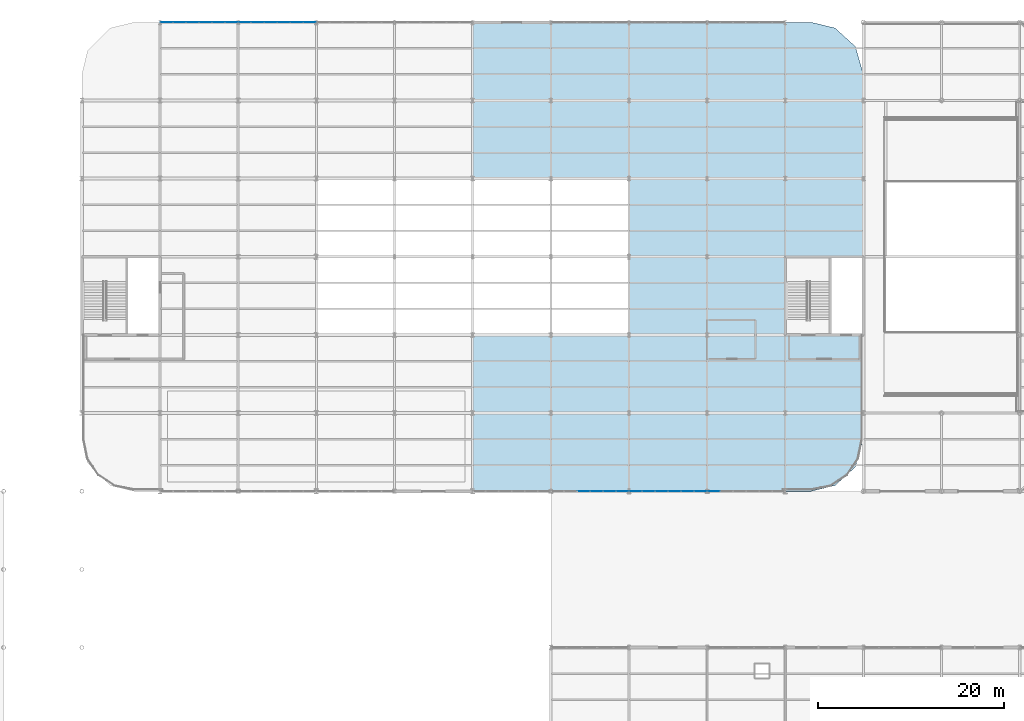
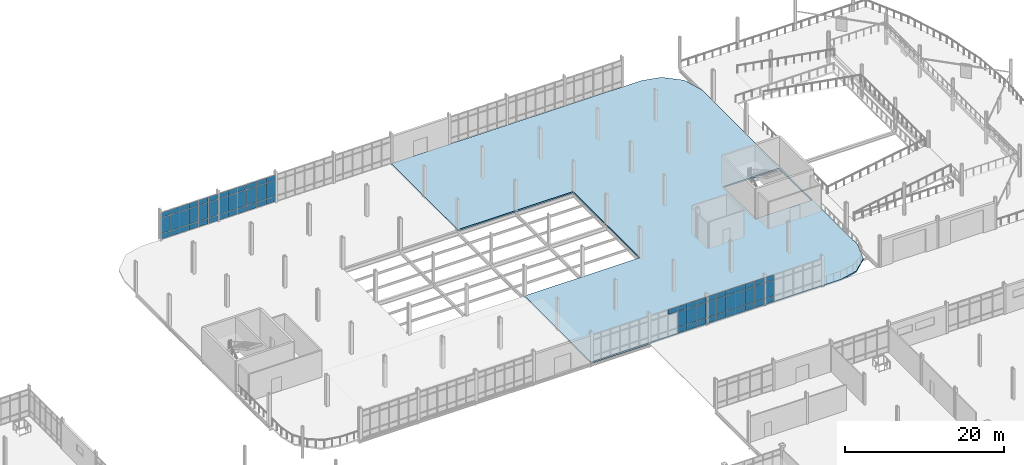
# One storey, part 117 of 145: 67 plates, 1 slab, 5 elements without a shape of their own.
"""IFC4 building model written with IfcOpenShell, lengths in metres."""

from ifc_helpers import new_model, si_unit, direction, frame, origin, origin_2d, place, context, subcontext, project, spatial, polyline, rectangle, outline, extrude, material, layer, layer_set, type_object, element, aggregate, save


model = new_model("IFC4")

# Units and contexts
model_context = context("Model", 3, precision=1e-05, world=origin(), true_north=direction((0.0, 1.0)))
body_context = subcontext(model_context, "Body", "Model", "MODEL_VIEW")
ifc_project = project(units=[si_unit("LENGTHUNIT", "METRE"), si_unit("AREAUNIT", "SQUARE_METRE"), si_unit("VOLUMEUNIT", "CUBIC_METRE"), si_unit("PLANEANGLEUNIT", "RADIAN"), si_unit("MASSUNIT", "GRAM", prefix="KILO")], contexts=[model_context])

# Site, building, storey
site_placement = place(None, origin())
site = spatial("IfcSite", under=ifc_project, at=site_placement, CompositionType="ELEMENT")
building_placement = place(site_placement, origin())
building = spatial("IfcBuilding", under=site, at=building_placement, Name="Qalvenar Corner Mobility Hub", CompositionType="ELEMENT")
storey_placement = place(building_placement, origin())
storey = spatial("IfcBuildingStorey", under=building, at=storey_placement, Name="L00", CompositionType="ELEMENT", Elevation=0.0)

# Curtain wall, plates
ifc_material_1 = material(Name="Anodised Aluminium and Low-E Glazing", Category="aluminium")
ifc_layer_1 = layer(ifc_material_1, 0.14990234375)
ifc_layer_set_1 = layer_set([ifc_layer_1], Name="Anodised Aluminium and Low-E Glazing")
curtain_wall_type = type_object("IfcCurtainWallType", Name="CW-MOB-84X46", PredefinedType="NOTDEFINED", material=ifc_layer_set_1)
curtain_wall_1_placement = place(storey_placement, origin())
curtain_wall_1 = element("IfcCurtainWall", 1, at=curtain_wall_1_placement, inside=storey, type_object=curtain_wall_type, Name="Glazed Curtain Wall CW-V4-L00-N1", PredefinedType="NOTDEFINED")
ifc_material_2 = material(Name="Solar-Control Low-E Double Glazing", Category="glass")
ifc_layer_2 = layer(ifc_material_2, 0.028076171875)
ifc_layer_set_2 = layer_set([ifc_layer_2], Name="Solar-Control Low-E Double Glazing")
plate_type = type_object("IfcPlateType", Name="PLT-CWP-GLZ1", PredefinedType="CURTAIN_PANEL", material=ifc_layer_set_2)
plate_1_placement = place(storey_placement, frame((74.885009765625, 117.60009765625, 0.05517578125), z_axis=(0.0, 0.0, 1.0), x_axis=(-1.0, 0.0, 0.0)))
plate_1 = element("IfcPlate", 2, at=plate_1_placement, type_object=plate_type, Name="CW-03 panel 1.1", PredefinedType="CURTAIN_PANEL", context=body_context, shape_type="SweptSolid", body=[
    extrude(rectangle(XDim=1.31005859375, YDim=0.028076171875, at=origin_2d()), origin(), (0.0, 0.0, 1.0), 0.8173828125),
])
plate_2_placement = place(storey_placement, frame((74.885009765625, 117.60009765625, 0.927490234375), z_axis=(0.0, 0.0, 1.0), x_axis=(-1.0, 0.0, 0.0)))
plate_2 = element("IfcPlate", 3, at=plate_2_placement, type_object=plate_type, Name="CW-03 panel 1.2", PredefinedType="CURTAIN_PANEL", context=body_context, shape_type="SweptSolid", body=[
    extrude(rectangle(XDim=1.31005859375, YDim=0.028076171875, at=origin_2d()), origin(), (0.0, 0.0, 1.0), 2.39501953125),
])
plate_3_placement = place(storey_placement, frame((74.885009765625, 117.60009765625, 3.37744140625), z_axis=(0.0, 0.0, 1.0), x_axis=(-1.0, 0.0, 0.0)))
plate_3 = element("IfcPlate", 4, at=plate_3_placement, type_object=plate_type, Name="CW-03 panel 1.3", PredefinedType="CURTAIN_PANEL", context=body_context, shape_type="SweptSolid", body=[
    extrude(rectangle(XDim=1.31005859375, YDim=0.028076171875, at=origin_2d()), origin(), (0.0, 0.0, 1.0), 0.767578125),
])
plate_4_placement = place(storey_placement, frame((73.5, 117.60009765625, 0.05517578125), z_axis=(0.0, 0.0, 1.0), x_axis=(-1.0, 0.0, 0.0)))
plate_4 = element("IfcPlate", 5, at=plate_4_placement, type_object=plate_type, Name="CW-03 panel 2.1", PredefinedType="CURTAIN_PANEL", context=body_context, shape_type="SweptSolid", body=[
    extrude(rectangle(XDim=1.340087890625, YDim=0.028076171875, at=origin_2d()), origin(), (0.0, 0.0, 1.0), 0.8173828125),
])
plate_5_placement = place(storey_placement, frame((73.5, 117.60009765625, 0.927490234375), z_axis=(0.0, 0.0, 1.0), x_axis=(-1.0, 0.0, 0.0)))
plate_5 = element("IfcPlate", 6, at=plate_5_placement, type_object=plate_type, Name="CW-03 panel 2.2", PredefinedType="CURTAIN_PANEL", context=body_context, shape_type="SweptSolid", body=[
    extrude(rectangle(XDim=1.340087890625, YDim=0.028076171875, at=origin_2d()), origin(), (0.0, 0.0, 1.0), 2.39501953125),
])
plate_6_placement = place(storey_placement, frame((73.5, 117.60009765625, 3.37744140625), z_axis=(0.0, 0.0, 1.0), x_axis=(-1.0, 0.0, 0.0)))
plate_6 = element("IfcPlate", 7, at=plate_6_placement, type_object=plate_type, Name="CW-03 panel 2.3", PredefinedType="CURTAIN_PANEL", context=body_context, shape_type="SweptSolid", body=[
    extrude(rectangle(XDim=1.340087890625, YDim=0.028076171875, at=origin_2d()), origin(), (0.0, 0.0, 1.0), 0.767578125),
])
plate_7_placement = place(storey_placement, frame((72.10009765625, 117.60009765625, 0.05517578125), z_axis=(0.0, 0.0, 1.0), x_axis=(-1.0, 0.0, 0.0)))
plate_7 = element("IfcPlate", 8, at=plate_7_placement, type_object=plate_type, Name="CW-03 panel 3.1", PredefinedType="CURTAIN_PANEL", context=body_context, shape_type="SweptSolid", body=[
    extrude(rectangle(XDim=1.340087890625, YDim=0.028076171875, at=origin_2d()), origin(), (0.0, 0.0, 1.0), 0.8173828125),
])
plate_8_placement = place(storey_placement, frame((72.10009765625, 117.60009765625, 0.927490234375), z_axis=(0.0, 0.0, 1.0), x_axis=(-1.0, 0.0, 0.0)))
plate_8 = element("IfcPlate", 9, at=plate_8_placement, type_object=plate_type, Name="CW-03 panel 3.2", PredefinedType="CURTAIN_PANEL", context=body_context, shape_type="SweptSolid", body=[
    extrude(rectangle(XDim=1.340087890625, YDim=0.028076171875, at=origin_2d()), origin(), (0.0, 0.0, 1.0), 2.39501953125),
])
plate_9_placement = place(storey_placement, frame((72.10009765625, 117.60009765625, 3.37744140625), z_axis=(0.0, 0.0, 1.0), x_axis=(-1.0, 0.0, 0.0)))
plate_9 = element("IfcPlate", 10, at=plate_9_placement, type_object=plate_type, Name="CW-03 panel 3.3", PredefinedType="CURTAIN_PANEL", context=body_context, shape_type="SweptSolid", body=[
    extrude(rectangle(XDim=1.340087890625, YDim=0.028076171875, at=origin_2d()), origin(), (0.0, 0.0, 1.0), 0.767578125),
])
plate_10_placement = place(storey_placement, frame((70.699951171875, 117.60009765625, 0.05517578125), z_axis=(0.0, 0.0, 1.0), x_axis=(-1.0, 0.0, 0.0)))
plate_10 = element("IfcPlate", 11, at=plate_10_placement, type_object=plate_type, Name="CW-03 panel 4.1", PredefinedType="CURTAIN_PANEL", context=body_context, shape_type="SweptSolid", body=[
    extrude(rectangle(XDim=1.340087890625, YDim=0.028076171875, at=origin_2d()), origin(), (0.0, 0.0, 1.0), 0.8173828125),
])
plate_11_placement = place(storey_placement, frame((70.699951171875, 117.60009765625, 0.927490234375), z_axis=(0.0, 0.0, 1.0), x_axis=(-1.0, 0.0, 0.0)))
plate_11 = element("IfcPlate", 12, at=plate_11_placement, type_object=plate_type, Name="CW-03 panel 4.2", PredefinedType="CURTAIN_PANEL", context=body_context, shape_type="SweptSolid", body=[
    extrude(rectangle(XDim=1.340087890625, YDim=0.028076171875, at=origin_2d()), origin(), (0.0, 0.0, 1.0), 2.39501953125),
])
plate_12_placement = place(storey_placement, frame((70.699951171875, 117.60009765625, 3.37744140625), z_axis=(0.0, 0.0, 1.0), x_axis=(-1.0, 0.0, 0.0)))
plate_12 = element("IfcPlate", 13, at=plate_12_placement, type_object=plate_type, Name="CW-03 panel 4.3", PredefinedType="CURTAIN_PANEL", context=body_context, shape_type="SweptSolid", body=[
    extrude(rectangle(XDim=1.340087890625, YDim=0.028076171875, at=origin_2d()), origin(), (0.0, 0.0, 1.0), 0.767578125),
])
plate_13_placement = place(storey_placement, frame((69.300048828125, 117.60009765625, 0.05517578125), z_axis=(0.0, 0.0, 1.0), x_axis=(-1.0, 0.0, 0.0)))
plate_13 = element("IfcPlate", 14, at=plate_13_placement, type_object=plate_type, Name="CW-03 panel 5.1", PredefinedType="CURTAIN_PANEL", context=body_context, shape_type="SweptSolid", body=[
    extrude(rectangle(XDim=1.340087890625, YDim=0.028076171875, at=origin_2d()), origin(), (0.0, 0.0, 1.0), 0.8173828125),
])
plate_14_placement = place(storey_placement, frame((69.300048828125, 117.60009765625, 0.927490234375), z_axis=(0.0, 0.0, 1.0), x_axis=(-1.0, 0.0, 0.0)))
plate_14 = element("IfcPlate", 15, at=plate_14_placement, type_object=plate_type, Name="CW-03 panel 5.2", PredefinedType="CURTAIN_PANEL", context=body_context, shape_type="SweptSolid", body=[
    extrude(rectangle(XDim=1.340087890625, YDim=0.028076171875, at=origin_2d()), origin(), (0.0, 0.0, 1.0), 2.39501953125),
])
plate_15_placement = place(storey_placement, frame((69.300048828125, 117.60009765625, 3.37744140625), z_axis=(0.0, 0.0, 1.0), x_axis=(-1.0, 0.0, 0.0)))
plate_15 = element("IfcPlate", 16, at=plate_15_placement, type_object=plate_type, Name="CW-03 panel 5.3", PredefinedType="CURTAIN_PANEL", context=body_context, shape_type="SweptSolid", body=[
    extrude(rectangle(XDim=1.340087890625, YDim=0.028076171875, at=origin_2d()), origin(), (0.0, 0.0, 1.0), 0.767578125),
])
plate_16_placement = place(storey_placement, frame((67.9150390625, 117.60009765625, 0.05517578125), z_axis=(0.0, 0.0, 1.0), x_axis=(-1.0, 0.0, 0.0)))
plate_16 = element("IfcPlate", 17, at=plate_16_placement, type_object=plate_type, Name="CW-03 panel 6.1", PredefinedType="CURTAIN_PANEL", context=body_context, shape_type="SweptSolid", body=[
    extrude(rectangle(XDim=1.31005859375, YDim=0.028076171875, at=origin_2d()), origin(), (0.0, 0.0, 1.0), 0.8173828125),
])
plate_17_placement = place(storey_placement, frame((67.9150390625, 117.60009765625, 0.927490234375), z_axis=(0.0, 0.0, 1.0), x_axis=(-1.0, 0.0, 0.0)))
plate_17 = element("IfcPlate", 18, at=plate_17_placement, type_object=plate_type, Name="CW-03 panel 6.2", PredefinedType="CURTAIN_PANEL", context=body_context, shape_type="SweptSolid", body=[
    extrude(rectangle(XDim=1.31005859375, YDim=0.028076171875, at=origin_2d()), origin(), (0.0, 0.0, 1.0), 2.39501953125),
])
plate_18_placement = place(storey_placement, frame((67.9150390625, 117.60009765625, 3.37744140625), z_axis=(0.0, 0.0, 1.0), x_axis=(-1.0, 0.0, 0.0)))
plate_18 = element("IfcPlate", 19, at=plate_18_placement, type_object=plate_type, Name="CW-03 panel 6.3", PredefinedType="CURTAIN_PANEL", context=body_context, shape_type="SweptSolid", body=[
    extrude(rectangle(XDim=1.31005859375, YDim=0.028076171875, at=origin_2d()), origin(), (0.0, 0.0, 1.0), 0.767578125),
])
aggregate(curtain_wall_1, [plate_1, plate_2, plate_3, plate_4, plate_5, plate_6, plate_7, plate_8, plate_9, plate_10, plate_11, plate_12, plate_13, plate_14, plate_15, plate_16, plate_17, plate_18])

curtain_wall_2_placement = place(storey_placement, origin())
curtain_wall_2 = element("IfcCurtainWall", 20, at=curtain_wall_2_placement, inside=storey, type_object=curtain_wall_type, Name="Glazed Curtain Wall CW-V4-L00-N2", PredefinedType="NOTDEFINED")
plate_19_placement = place(storey_placement, frame((83.284912109375, 117.60009765625, 0.05517578125), z_axis=(0.0, 0.0, 1.0), x_axis=(-1.0, 0.0, 0.0)))
plate_19 = element("IfcPlate", 21, at=plate_19_placement, type_object=plate_type, Name="CW-03 panel 1.1", PredefinedType="CURTAIN_PANEL", context=body_context, shape_type="SweptSolid", body=[
    extrude(rectangle(XDim=1.31005859375, YDim=0.028076171875, at=origin_2d()), origin(), (0.0, 0.0, 1.0), 0.8173828125),
])
plate_20_placement = place(storey_placement, frame((83.284912109375, 117.60009765625, 0.927490234375), z_axis=(0.0, 0.0, 1.0), x_axis=(-1.0, 0.0, 0.0)))
plate_20 = element("IfcPlate", 22, at=plate_20_placement, type_object=plate_type, Name="CW-03 panel 1.2", PredefinedType="CURTAIN_PANEL", context=body_context, shape_type="SweptSolid", body=[
    extrude(rectangle(XDim=1.31005859375, YDim=0.028076171875, at=origin_2d()), origin(), (0.0, 0.0, 1.0), 2.39501953125),
])
plate_21_placement = place(storey_placement, frame((83.284912109375, 117.60009765625, 3.37744140625), z_axis=(0.0, 0.0, 1.0), x_axis=(-1.0, 0.0, 0.0)))
plate_21 = element("IfcPlate", 23, at=plate_21_placement, type_object=plate_type, Name="CW-03 panel 1.3", PredefinedType="CURTAIN_PANEL", context=body_context, shape_type="SweptSolid", body=[
    extrude(rectangle(XDim=1.31005859375, YDim=0.028076171875, at=origin_2d()), origin(), (0.0, 0.0, 1.0), 0.767578125),
])
plate_22_placement = place(storey_placement, frame((81.89990234375, 117.60009765625, 0.05517578125), z_axis=(0.0, 0.0, 1.0), x_axis=(-1.0, 0.0, 0.0)))
plate_22 = element("IfcPlate", 24, at=plate_22_placement, type_object=plate_type, Name="CW-03 panel 2.1", PredefinedType="CURTAIN_PANEL", context=body_context, shape_type="SweptSolid", body=[
    extrude(rectangle(XDim=1.340087890625, YDim=0.028076171875, at=origin_2d()), origin(), (0.0, 0.0, 1.0), 0.8173828125),
])
plate_23_placement = place(storey_placement, frame((81.89990234375, 117.60009765625, 0.927490234375), z_axis=(0.0, 0.0, 1.0), x_axis=(-1.0, 0.0, 0.0)))
plate_23 = element("IfcPlate", 25, at=plate_23_placement, type_object=plate_type, Name="CW-03 panel 2.2", PredefinedType="CURTAIN_PANEL", context=body_context, shape_type="SweptSolid", body=[
    extrude(rectangle(XDim=1.340087890625, YDim=0.028076171875, at=origin_2d()), origin(), (0.0, 0.0, 1.0), 2.39501953125),
])
plate_24_placement = place(storey_placement, frame((81.89990234375, 117.60009765625, 3.37744140625), z_axis=(0.0, 0.0, 1.0), x_axis=(-1.0, 0.0, 0.0)))
plate_24 = element("IfcPlate", 26, at=plate_24_placement, type_object=plate_type, Name="CW-03 panel 2.3", PredefinedType="CURTAIN_PANEL", context=body_context, shape_type="SweptSolid", body=[
    extrude(rectangle(XDim=1.340087890625, YDim=0.028076171875, at=origin_2d()), origin(), (0.0, 0.0, 1.0), 0.767578125),
])
plate_25_placement = place(storey_placement, frame((80.5, 117.60009765625, 0.05517578125), z_axis=(0.0, 0.0, 1.0), x_axis=(-1.0, 0.0, 0.0)))
plate_25 = element("IfcPlate", 27, at=plate_25_placement, type_object=plate_type, Name="CW-03 panel 3.1", PredefinedType="CURTAIN_PANEL", context=body_context, shape_type="SweptSolid", body=[
    extrude(rectangle(XDim=1.340087890625, YDim=0.028076171875, at=origin_2d()), origin(), (0.0, 0.0, 1.0), 0.8173828125),
])
plate_26_placement = place(storey_placement, frame((80.5, 117.60009765625, 0.927490234375), z_axis=(0.0, 0.0, 1.0), x_axis=(-1.0, 0.0, 0.0)))
plate_26 = element("IfcPlate", 28, at=plate_26_placement, type_object=plate_type, Name="CW-03 panel 3.2", PredefinedType="CURTAIN_PANEL", context=body_context, shape_type="SweptSolid", body=[
    extrude(rectangle(XDim=1.340087890625, YDim=0.028076171875, at=origin_2d()), origin(), (0.0, 0.0, 1.0), 2.39501953125),
])
plate_27_placement = place(storey_placement, frame((80.5, 117.60009765625, 3.37744140625), z_axis=(0.0, 0.0, 1.0), x_axis=(-1.0, 0.0, 0.0)))
plate_27 = element("IfcPlate", 29, at=plate_27_placement, type_object=plate_type, Name="CW-03 panel 3.3", PredefinedType="CURTAIN_PANEL", context=body_context, shape_type="SweptSolid", body=[
    extrude(rectangle(XDim=1.340087890625, YDim=0.028076171875, at=origin_2d()), origin(), (0.0, 0.0, 1.0), 0.767578125),
])
plate_28_placement = place(storey_placement, frame((79.10009765625, 117.60009765625, 0.05517578125), z_axis=(0.0, 0.0, 1.0), x_axis=(-1.0, 0.0, 0.0)))
plate_28 = element("IfcPlate", 30, at=plate_28_placement, type_object=plate_type, Name="CW-03 panel 4.1", PredefinedType="CURTAIN_PANEL", context=body_context, shape_type="SweptSolid", body=[
    extrude(rectangle(XDim=1.340087890625, YDim=0.028076171875, at=origin_2d()), origin(), (0.0, 0.0, 1.0), 0.8173828125),
])
plate_29_placement = place(storey_placement, frame((79.10009765625, 117.60009765625, 0.927490234375), z_axis=(0.0, 0.0, 1.0), x_axis=(-1.0, 0.0, 0.0)))
plate_29 = element("IfcPlate", 31, at=plate_29_placement, type_object=plate_type, Name="CW-03 panel 4.2", PredefinedType="CURTAIN_PANEL", context=body_context, shape_type="SweptSolid", body=[
    extrude(rectangle(XDim=1.340087890625, YDim=0.028076171875, at=origin_2d()), origin(), (0.0, 0.0, 1.0), 2.39501953125),
])
plate_30_placement = place(storey_placement, frame((79.10009765625, 117.60009765625, 3.37744140625), z_axis=(0.0, 0.0, 1.0), x_axis=(-1.0, 0.0, 0.0)))
plate_30 = element("IfcPlate", 32, at=plate_30_placement, type_object=plate_type, Name="CW-03 panel 4.3", PredefinedType="CURTAIN_PANEL", context=body_context, shape_type="SweptSolid", body=[
    extrude(rectangle(XDim=1.340087890625, YDim=0.028076171875, at=origin_2d()), origin(), (0.0, 0.0, 1.0), 0.767578125),
])
plate_31_placement = place(storey_placement, frame((77.699951171875, 117.60009765625, 0.05517578125), z_axis=(0.0, 0.0, 1.0), x_axis=(-1.0, 0.0, 0.0)))
plate_31 = element("IfcPlate", 33, at=plate_31_placement, type_object=plate_type, Name="CW-03 panel 5.1", PredefinedType="CURTAIN_PANEL", context=body_context, shape_type="SweptSolid", body=[
    extrude(rectangle(XDim=1.340087890625, YDim=0.028076171875, at=origin_2d()), origin(), (0.0, 0.0, 1.0), 0.8173828125),
])
plate_32_placement = place(storey_placement, frame((77.699951171875, 117.60009765625, 0.927490234375), z_axis=(0.0, 0.0, 1.0), x_axis=(-1.0, 0.0, 0.0)))
plate_32 = element("IfcPlate", 34, at=plate_32_placement, type_object=plate_type, Name="CW-03 panel 5.2", PredefinedType="CURTAIN_PANEL", context=body_context, shape_type="SweptSolid", body=[
    extrude(rectangle(XDim=1.340087890625, YDim=0.028076171875, at=origin_2d()), origin(), (0.0, 0.0, 1.0), 2.39501953125),
])
plate_33_placement = place(storey_placement, frame((77.699951171875, 117.60009765625, 3.37744140625), z_axis=(0.0, 0.0, 1.0), x_axis=(-1.0, 0.0, 0.0)))
plate_33 = element("IfcPlate", 35, at=plate_33_placement, type_object=plate_type, Name="CW-03 panel 5.3", PredefinedType="CURTAIN_PANEL", context=body_context, shape_type="SweptSolid", body=[
    extrude(rectangle(XDim=1.340087890625, YDim=0.028076171875, at=origin_2d()), origin(), (0.0, 0.0, 1.0), 0.767578125),
])
plate_34_placement = place(storey_placement, frame((76.31494140625, 117.60009765625, 0.05517578125), z_axis=(0.0, 0.0, 1.0), x_axis=(-1.0, 0.0, 0.0)))
plate_34 = element("IfcPlate", 36, at=plate_34_placement, type_object=plate_type, Name="CW-03 panel 6.1", PredefinedType="CURTAIN_PANEL", context=body_context, shape_type="SweptSolid", body=[
    extrude(rectangle(XDim=1.31005859375, YDim=0.028076171875, at=origin_2d()), origin(), (0.0, 0.0, 1.0), 0.8173828125),
])
plate_35_placement = place(storey_placement, frame((76.31494140625, 117.60009765625, 0.927490234375), z_axis=(0.0, 0.0, 1.0), x_axis=(-1.0, 0.0, 0.0)))
plate_35 = element("IfcPlate", 37, at=plate_35_placement, type_object=plate_type, Name="CW-03 panel 6.2", PredefinedType="CURTAIN_PANEL", context=body_context, shape_type="SweptSolid", body=[
    extrude(rectangle(XDim=1.31005859375, YDim=0.028076171875, at=origin_2d()), origin(), (0.0, 0.0, 1.0), 2.39501953125),
])
plate_36_placement = place(storey_placement, frame((76.31494140625, 117.60009765625, 3.37744140625), z_axis=(0.0, 0.0, 1.0), x_axis=(-1.0, 0.0, 0.0)))
plate_36 = element("IfcPlate", 38, at=plate_36_placement, type_object=plate_type, Name="CW-03 panel 6.3", PredefinedType="CURTAIN_PANEL", context=body_context, shape_type="SweptSolid", body=[
    extrude(rectangle(XDim=1.31005859375, YDim=0.028076171875, at=origin_2d()), origin(), (0.0, 0.0, 1.0), 0.767578125),
])
aggregate(curtain_wall_2, [plate_19, plate_20, plate_21, plate_22, plate_23, plate_24, plate_25, plate_26, plate_27, plate_28, plate_29, plate_30, plate_31, plate_32, plate_33, plate_34, plate_35, plate_36])

curtain_wall_3_placement = place(storey_placement, origin())
curtain_wall_3 = element("IfcCurtainWall", 39, at=curtain_wall_3_placement, inside=storey, type_object=curtain_wall_type, Name="Glazed Curtain Wall CW-V4-L00-S6", PredefinedType="NOTDEFINED")
plate_37_placement = place(storey_placement, frame((112.699951171875, 67.199951171875, 3.37744140625), z_axis=(0.0, 0.0, 1.0), x_axis=(1.0, 0.0, 0.0)))
plate_37 = element("IfcPlate", 40, at=plate_37_placement, type_object=plate_type, Name="CW-03 panel 3.3", PredefinedType="CURTAIN_PANEL", context=body_context, shape_type="SweptSolid", body=[
    extrude(rectangle(XDim=1.340087890625, YDim=0.028076171875, at=origin_2d()), origin(), (0.0, 0.0, 1.0), 0.767578125),
])
plate_38_placement = place(storey_placement, frame((114.10009765625, 67.199951171875, 0.05517578125), z_axis=(0.0, 0.0, 1.0), x_axis=(1.0, 0.0, 0.0)))
plate_38 = element("IfcPlate", 41, at=plate_38_placement, type_object=plate_type, Name="CW-03 panel 4.1", PredefinedType="CURTAIN_PANEL", context=body_context, shape_type="SweptSolid", body=[
    extrude(rectangle(XDim=1.340087890625, YDim=0.028076171875, at=origin_2d()), origin(), (0.0, 0.0, 1.0), 0.8173828125),
])
plate_39_placement = place(storey_placement, frame((114.10009765625, 67.199951171875, 0.927490234375), z_axis=(0.0, 0.0, 1.0), x_axis=(1.0, 0.0, 0.0)))
plate_39 = element("IfcPlate", 42, at=plate_39_placement, type_object=plate_type, Name="CW-03 panel 4.2", PredefinedType="CURTAIN_PANEL", context=body_context, shape_type="SweptSolid", body=[
    extrude(rectangle(XDim=1.340087890625, YDim=0.028076171875, at=origin_2d()), origin(), (0.0, 0.0, 1.0), 2.39501953125),
])
plate_40_placement = place(storey_placement, frame((114.10009765625, 67.199951171875, 3.37744140625), z_axis=(0.0, 0.0, 1.0), x_axis=(1.0, 0.0, 0.0)))
plate_40 = element("IfcPlate", 43, at=plate_40_placement, type_object=plate_type, Name="CW-03 panel 4.3", PredefinedType="CURTAIN_PANEL", context=body_context, shape_type="SweptSolid", body=[
    extrude(rectangle(XDim=1.340087890625, YDim=0.028076171875, at=origin_2d()), origin(), (0.0, 0.0, 1.0), 0.767578125),
])
plate_41_placement = place(storey_placement, frame((115.5, 67.199951171875, 0.05517578125), z_axis=(0.0, 0.0, 1.0), x_axis=(1.0, 0.0, 0.0)))
plate_41 = element("IfcPlate", 44, at=plate_41_placement, type_object=plate_type, Name="CW-03 panel 5.1", PredefinedType="CURTAIN_PANEL", context=body_context, shape_type="SweptSolid", body=[
    extrude(rectangle(XDim=1.340087890625, YDim=0.028076171875, at=origin_2d()), origin(), (0.0, 0.0, 1.0), 0.8173828125),
])
plate_42_placement = place(storey_placement, frame((115.5, 67.199951171875, 0.927490234375), z_axis=(0.0, 0.0, 1.0), x_axis=(1.0, 0.0, 0.0)))
plate_42 = element("IfcPlate", 45, at=plate_42_placement, type_object=plate_type, Name="CW-03 panel 5.2", PredefinedType="CURTAIN_PANEL", context=body_context, shape_type="SweptSolid", body=[
    extrude(rectangle(XDim=1.340087890625, YDim=0.028076171875, at=origin_2d()), origin(), (0.0, 0.0, 1.0), 2.39501953125),
])
plate_43_placement = place(storey_placement, frame((115.5, 67.199951171875, 3.37744140625), z_axis=(0.0, 0.0, 1.0), x_axis=(1.0, 0.0, 0.0)))
plate_43 = element("IfcPlate", 46, at=plate_43_placement, type_object=plate_type, Name="CW-03 panel 5.3", PredefinedType="CURTAIN_PANEL", context=body_context, shape_type="SweptSolid", body=[
    extrude(rectangle(XDim=1.340087890625, YDim=0.028076171875, at=origin_2d()), origin(), (0.0, 0.0, 1.0), 0.767578125),
])
plate_44_placement = place(storey_placement, frame((116.885009765625, 67.199951171875, 0.05517578125), z_axis=(0.0, 0.0, 1.0), x_axis=(1.0, 0.0, 0.0)))
plate_44 = element("IfcPlate", 47, at=plate_44_placement, type_object=plate_type, Name="CW-03 panel 6.1", PredefinedType="CURTAIN_PANEL", context=body_context, shape_type="SweptSolid", body=[
    extrude(rectangle(XDim=1.31005859375, YDim=0.028076171875, at=origin_2d()), origin(), (0.0, 0.0, 1.0), 0.8173828125),
])
plate_45_placement = place(storey_placement, frame((116.885009765625, 67.199951171875, 0.927490234375), z_axis=(0.0, 0.0, 1.0), x_axis=(1.0, 0.0, 0.0)))
plate_45 = element("IfcPlate", 48, at=plate_45_placement, type_object=plate_type, Name="CW-03 panel 6.2", PredefinedType="CURTAIN_PANEL", context=body_context, shape_type="SweptSolid", body=[
    extrude(rectangle(XDim=1.31005859375, YDim=0.028076171875, at=origin_2d()), origin(), (0.0, 0.0, 1.0), 2.39501953125),
])
plate_46_placement = place(storey_placement, frame((116.885009765625, 67.199951171875, 3.37744140625), z_axis=(0.0, 0.0, 1.0), x_axis=(1.0, 0.0, 0.0)))
plate_46 = element("IfcPlate", 49, at=plate_46_placement, type_object=plate_type, Name="CW-03 panel 6.3", PredefinedType="CURTAIN_PANEL", context=body_context, shape_type="SweptSolid", body=[
    extrude(rectangle(XDim=1.31005859375, YDim=0.028076171875, at=origin_2d()), origin(), (0.0, 0.0, 1.0), 0.767578125),
])
aggregate(curtain_wall_3, [plate_37, plate_38, plate_39, plate_40, plate_41, plate_42, plate_43, plate_44, plate_45, plate_46])

curtain_wall_4_placement = place(storey_placement, origin())
curtain_wall_4 = element("IfcCurtainWall", 50, at=curtain_wall_4_placement, inside=storey, type_object=curtain_wall_type, Name="Glazed Curtain Wall CW-V4-L00-S7", PredefinedType="NOTDEFINED")
plate_47_placement = place(storey_placement, frame((118.31494140625, 67.199951171875, 0.05517578125), z_axis=(0.0, 0.0, 1.0), x_axis=(1.0, 0.0, 0.0)))
plate_47 = element("IfcPlate", 51, at=plate_47_placement, type_object=plate_type, Name="CW-03 panel 1.1", PredefinedType="CURTAIN_PANEL", context=body_context, shape_type="SweptSolid", body=[
    extrude(rectangle(XDim=1.31005859375, YDim=0.028076171875, at=origin_2d()), origin(), (0.0, 0.0, 1.0), 0.8173828125),
])
plate_48_placement = place(storey_placement, frame((118.31494140625, 67.199951171875, 0.927490234375), z_axis=(0.0, 0.0, 1.0), x_axis=(1.0, 0.0, 0.0)))
plate_48 = element("IfcPlate", 52, at=plate_48_placement, type_object=plate_type, Name="CW-03 panel 1.2", PredefinedType="CURTAIN_PANEL", context=body_context, shape_type="SweptSolid", body=[
    extrude(rectangle(XDim=1.31005859375, YDim=0.028076171875, at=origin_2d()), origin(), (0.0, 0.0, 1.0), 2.39501953125),
])
plate_49_placement = place(storey_placement, frame((118.31494140625, 67.199951171875, 3.37744140625), z_axis=(0.0, 0.0, 1.0), x_axis=(1.0, 0.0, 0.0)))
plate_49 = element("IfcPlate", 53, at=plate_49_placement, type_object=plate_type, Name="CW-03 panel 1.3", PredefinedType="CURTAIN_PANEL", context=body_context, shape_type="SweptSolid", body=[
    extrude(rectangle(XDim=1.31005859375, YDim=0.028076171875, at=origin_2d()), origin(), (0.0, 0.0, 1.0), 0.767578125),
])
plate_50_placement = place(storey_placement, frame((119.699951171875, 67.199951171875, 0.05517578125), z_axis=(0.0, 0.0, 1.0), x_axis=(1.0, 0.0, 0.0)))
plate_50 = element("IfcPlate", 54, at=plate_50_placement, type_object=plate_type, Name="CW-03 panel 2.1", PredefinedType="CURTAIN_PANEL", context=body_context, shape_type="SweptSolid", body=[
    extrude(rectangle(XDim=1.340087890625, YDim=0.028076171875, at=origin_2d()), origin(), (0.0, 0.0, 1.0), 0.8173828125),
])
plate_51_placement = place(storey_placement, frame((119.699951171875, 67.199951171875, 0.927490234375), z_axis=(0.0, 0.0, 1.0), x_axis=(1.0, 0.0, 0.0)))
plate_51 = element("IfcPlate", 55, at=plate_51_placement, type_object=plate_type, Name="CW-03 panel 2.2", PredefinedType="CURTAIN_PANEL", context=body_context, shape_type="SweptSolid", body=[
    extrude(rectangle(XDim=1.340087890625, YDim=0.028076171875, at=origin_2d()), origin(), (0.0, 0.0, 1.0), 2.39501953125),
])
plate_52_placement = place(storey_placement, frame((119.699951171875, 67.199951171875, 3.37744140625), z_axis=(0.0, 0.0, 1.0), x_axis=(1.0, 0.0, 0.0)))
plate_52 = element("IfcPlate", 56, at=plate_52_placement, type_object=plate_type, Name="CW-03 panel 2.3", PredefinedType="CURTAIN_PANEL", context=body_context, shape_type="SweptSolid", body=[
    extrude(rectangle(XDim=1.340087890625, YDim=0.028076171875, at=origin_2d()), origin(), (0.0, 0.0, 1.0), 0.767578125),
])
plate_53_placement = place(storey_placement, frame((121.10009765625, 67.199951171875, 0.05517578125), z_axis=(0.0, 0.0, 1.0), x_axis=(1.0, 0.0, 0.0)))
plate_53 = element("IfcPlate", 57, at=plate_53_placement, type_object=plate_type, Name="CW-03 panel 3.1", PredefinedType="CURTAIN_PANEL", context=body_context, shape_type="SweptSolid", body=[
    extrude(rectangle(XDim=1.340087890625, YDim=0.028076171875, at=origin_2d()), origin(), (0.0, 0.0, 1.0), 0.8173828125),
])
plate_54_placement = place(storey_placement, frame((121.10009765625, 67.199951171875, 0.927490234375), z_axis=(0.0, 0.0, 1.0), x_axis=(1.0, 0.0, 0.0)))
plate_54 = element("IfcPlate", 58, at=plate_54_placement, type_object=plate_type, Name="CW-03 panel 3.2", PredefinedType="CURTAIN_PANEL", context=body_context, shape_type="SweptSolid", body=[
    extrude(rectangle(XDim=1.340087890625, YDim=0.028076171875, at=origin_2d()), origin(), (0.0, 0.0, 1.0), 2.39501953125),
])
plate_55_placement = place(storey_placement, frame((121.10009765625, 67.199951171875, 3.37744140625), z_axis=(0.0, 0.0, 1.0), x_axis=(1.0, 0.0, 0.0)))
plate_55 = element("IfcPlate", 59, at=plate_55_placement, type_object=plate_type, Name="CW-03 panel 3.3", PredefinedType="CURTAIN_PANEL", context=body_context, shape_type="SweptSolid", body=[
    extrude(rectangle(XDim=1.340087890625, YDim=0.028076171875, at=origin_2d()), origin(), (0.0, 0.0, 1.0), 0.767578125),
])
plate_56_placement = place(storey_placement, frame((122.5, 67.199951171875, 0.05517578125), z_axis=(0.0, 0.0, 1.0), x_axis=(1.0, 0.0, 0.0)))
plate_56 = element("IfcPlate", 60, at=plate_56_placement, type_object=plate_type, Name="CW-03 panel 4.1", PredefinedType="CURTAIN_PANEL", context=body_context, shape_type="SweptSolid", body=[
    extrude(rectangle(XDim=1.340087890625, YDim=0.028076171875, at=origin_2d()), origin(), (0.0, 0.0, 1.0), 0.8173828125),
])
plate_57_placement = place(storey_placement, frame((122.5, 67.199951171875, 0.927490234375), z_axis=(0.0, 0.0, 1.0), x_axis=(1.0, 0.0, 0.0)))
plate_57 = element("IfcPlate", 61, at=plate_57_placement, type_object=plate_type, Name="CW-03 panel 4.2", PredefinedType="CURTAIN_PANEL", context=body_context, shape_type="SweptSolid", body=[
    extrude(rectangle(XDim=1.340087890625, YDim=0.028076171875, at=origin_2d()), origin(), (0.0, 0.0, 1.0), 2.39501953125),
])
plate_58_placement = place(storey_placement, frame((122.5, 67.199951171875, 3.37744140625), z_axis=(0.0, 0.0, 1.0), x_axis=(1.0, 0.0, 0.0)))
plate_58 = element("IfcPlate", 62, at=plate_58_placement, type_object=plate_type, Name="CW-03 panel 4.3", PredefinedType="CURTAIN_PANEL", context=body_context, shape_type="SweptSolid", body=[
    extrude(rectangle(XDim=1.340087890625, YDim=0.028076171875, at=origin_2d()), origin(), (0.0, 0.0, 1.0), 0.767578125),
])
plate_59_placement = place(storey_placement, frame((123.89990234375, 67.199951171875, 0.05517578125), z_axis=(0.0, 0.0, 1.0), x_axis=(1.0, 0.0, 0.0)))
plate_59 = element("IfcPlate", 63, at=plate_59_placement, type_object=plate_type, Name="CW-03 panel 5.1", PredefinedType="CURTAIN_PANEL", context=body_context, shape_type="SweptSolid", body=[
    extrude(rectangle(XDim=1.340087890625, YDim=0.028076171875, at=origin_2d()), origin(), (0.0, 0.0, 1.0), 0.8173828125),
])
plate_60_placement = place(storey_placement, frame((123.89990234375, 67.199951171875, 0.927490234375), z_axis=(0.0, 0.0, 1.0), x_axis=(1.0, 0.0, 0.0)))
plate_60 = element("IfcPlate", 64, at=plate_60_placement, type_object=plate_type, Name="CW-03 panel 5.2", PredefinedType="CURTAIN_PANEL", context=body_context, shape_type="SweptSolid", body=[
    extrude(rectangle(XDim=1.340087890625, YDim=0.028076171875, at=origin_2d()), origin(), (0.0, 0.0, 1.0), 2.39501953125),
])
plate_61_placement = place(storey_placement, frame((123.89990234375, 67.199951171875, 3.37744140625), z_axis=(0.0, 0.0, 1.0), x_axis=(1.0, 0.0, 0.0)))
plate_61 = element("IfcPlate", 65, at=plate_61_placement, type_object=plate_type, Name="CW-03 panel 5.3", PredefinedType="CURTAIN_PANEL", context=body_context, shape_type="SweptSolid", body=[
    extrude(rectangle(XDim=1.340087890625, YDim=0.028076171875, at=origin_2d()), origin(), (0.0, 0.0, 1.0), 0.767578125),
])
plate_62_placement = place(storey_placement, frame((125.284912109375, 67.199951171875, 0.05517578125), z_axis=(0.0, 0.0, 1.0), x_axis=(1.0, 0.0, 0.0)))
plate_62 = element("IfcPlate", 66, at=plate_62_placement, type_object=plate_type, Name="CW-03 panel 6.1", PredefinedType="CURTAIN_PANEL", context=body_context, shape_type="SweptSolid", body=[
    extrude(rectangle(XDim=1.31005859375, YDim=0.028076171875, at=origin_2d()), origin(), (0.0, 0.0, 1.0), 0.8173828125),
])
plate_63_placement = place(storey_placement, frame((125.284912109375, 67.199951171875, 0.927490234375), z_axis=(0.0, 0.0, 1.0), x_axis=(1.0, 0.0, 0.0)))
plate_63 = element("IfcPlate", 67, at=plate_63_placement, type_object=plate_type, Name="CW-03 panel 6.2", PredefinedType="CURTAIN_PANEL", context=body_context, shape_type="SweptSolid", body=[
    extrude(rectangle(XDim=1.31005859375, YDim=0.028076171875, at=origin_2d()), origin(), (0.0, 0.0, 1.0), 2.39501953125),
])
plate_64_placement = place(storey_placement, frame((125.284912109375, 67.199951171875, 3.37744140625), z_axis=(0.0, 0.0, 1.0), x_axis=(1.0, 0.0, 0.0)))
plate_64 = element("IfcPlate", 68, at=plate_64_placement, type_object=plate_type, Name="CW-03 panel 6.3", PredefinedType="CURTAIN_PANEL", context=body_context, shape_type="SweptSolid", body=[
    extrude(rectangle(XDim=1.31005859375, YDim=0.028076171875, at=origin_2d()), origin(), (0.0, 0.0, 1.0), 0.767578125),
])
aggregate(curtain_wall_4, [plate_47, plate_48, plate_49, plate_50, plate_51, plate_52, plate_53, plate_54, plate_55, plate_56, plate_57, plate_58, plate_59, plate_60, plate_61, plate_62, plate_63, plate_64])

curtain_wall_5_placement = place(storey_placement, origin())
curtain_wall_5 = element("IfcCurtainWall", 69, at=curtain_wall_5_placement, inside=storey, type_object=curtain_wall_type, Name="Glazed Curtain Wall CW-V4-L00-S8", PredefinedType="NOTDEFINED")
plate_65_placement = place(storey_placement, frame((126.715087890625, 67.199951171875, 0.05517578125), z_axis=(0.0, 0.0, 1.0), x_axis=(1.0, 0.0, 0.0)))
plate_65 = element("IfcPlate", 70, at=plate_65_placement, type_object=plate_type, Name="CW-03 panel 1.1", PredefinedType="CURTAIN_PANEL", context=body_context, shape_type="SweptSolid", body=[
    extrude(rectangle(XDim=1.31005859375, YDim=0.028076171875, at=origin_2d()), origin(), (0.0, 0.0, 1.0), 0.8173828125),
])
plate_66_placement = place(storey_placement, frame((126.715087890625, 67.199951171875, 0.927490234375), z_axis=(0.0, 0.0, 1.0), x_axis=(1.0, 0.0, 0.0)))
plate_66 = element("IfcPlate", 71, at=plate_66_placement, type_object=plate_type, Name="CW-03 panel 1.2", PredefinedType="CURTAIN_PANEL", context=body_context, shape_type="SweptSolid", body=[
    extrude(rectangle(XDim=1.31005859375, YDim=0.028076171875, at=origin_2d()), origin(), (0.0, 0.0, 1.0), 2.39501953125),
])
plate_67_placement = place(storey_placement, frame((126.715087890625, 67.199951171875, 3.37744140625), z_axis=(0.0, 0.0, 1.0), x_axis=(1.0, 0.0, 0.0)))
plate_67 = element("IfcPlate", 72, at=plate_67_placement, type_object=plate_type, Name="CW-03 panel 1.3", PredefinedType="CURTAIN_PANEL", context=body_context, shape_type="SweptSolid", body=[
    extrude(rectangle(XDim=1.31005859375, YDim=0.028076171875, at=origin_2d()), origin(), (0.0, 0.0, 1.0), 0.767578125),
])
aggregate(curtain_wall_5, [plate_65, plate_66, plate_67])

# Slab
ifc_material_3 = material(Name="Concrete C35/45", Category="concrete")
ifc_layer_3 = layer(ifc_material_3, 0.219970703125)
ifc_layer_set_3 = layer_set([ifc_layer_3], Name="Concrete C35/45")
slab_type = type_object("IfcSlabType", Name="SLB-COMP220", PredefinedType="FLOOR", material=ifc_layer_set_3)
slab_placement = place(storey_placement, frame((0.0, 0.0, -0.219970703125)))
element("IfcSlab", 73, at=slab_placement, inside=storey, type_object=slab_type, Name="Composite Deck V4-E-L00", PredefinedType="FLOOR", context=body_context, shape_type="SweptSolid", body=[
    extrude(outline(polyline([(100.800048828125, 67.199951171875), (137.199951171875, 67.199951171875), (139.7421875, 67.810302734375), (141.92822265625, 69.79931640625), (142.800048828125, 72.800048828125), (142.800048828125, 112.0), (141.92822265625, 115.00048828125), (139.7421875, 116.989501953125), (137.199951171875, 117.60009765625), (100.800048828125, 117.60009765625), (100.800048828125, 100.800048828125), (117.60009765625, 100.800048828125), (117.60009765625, 84.0), (100.800048828125, 84.0), (100.800048828125, 67.199951171875)]), holes=[polyline([(134.530029296875, 84.1298828125), (142.669921875, 84.1298828125), (142.669921875, 92.27001953125), (134.530029296875, 92.27001953125), (134.530029296875, 84.1298828125)])]), origin(), (0.0, 0.0, 1.0), 0.219970703125),
])

save(model, "model.ifc")
